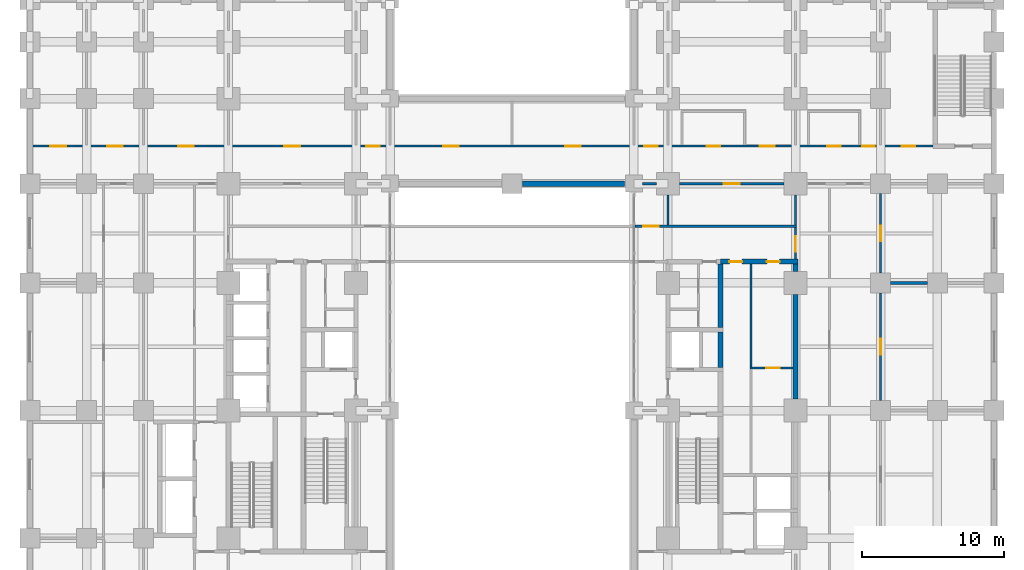
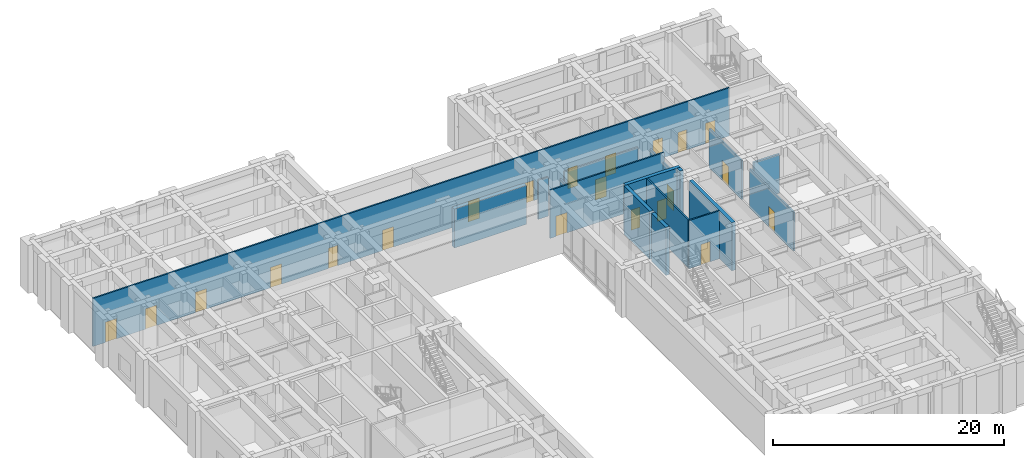
# One storey, part 13 of 21: 21 doors, 18 walls, 21 openings.
"""IFC4 building model written with IfcOpenShell, lengths in metres."""

from ifc_helpers import new_model, si_unit, direction, frame, frame_2d, origin, place, context, subcontext, project, spatial, rectangle, extrude, material, layer, layer_set, type_object, element, fill, save


model = new_model("IFC4")

# Units and contexts
model_context = context("Model", 3, precision=1e-05, world=origin(), true_north=direction((0.0, 1.0)))
body_context = subcontext(model_context, "Body", "Model", "MODEL_VIEW")
ifc_project = project(units=[si_unit("LENGTHUNIT", "METRE"), si_unit("AREAUNIT", "SQUARE_METRE"), si_unit("VOLUMEUNIT", "CUBIC_METRE"), si_unit("PLANEANGLEUNIT", "RADIAN"), si_unit("MASSUNIT", "GRAM", prefix="KILO")], contexts=[model_context])

# Site, building, storey
site_placement = place(None, origin())
site = spatial("IfcSite", under=ifc_project, at=site_placement, CompositionType="ELEMENT")
building_placement = place(site_placement, origin())
building = spatial("IfcBuilding", under=site, at=building_placement, Name="Zulmaris Gate Convention Tower", CompositionType="ELEMENT")
storey_placement = place(building_placement, frame((0.0, 0.0, 5.43994140625)))
storey = spatial("IfcBuildingStorey", under=building, at=storey_placement, Name="L01", CompositionType="ELEMENT", Elevation=5.43994140625)

# Wall, openings, doors
ifc_material_1 = material(Name="Concrete C55/67", Category="concrete")
ifc_layer_1 = layer(ifc_material_1, 0.35009765625, Name="Concrete C55/67")
ifc_layer_set_1 = layer_set([ifc_layer_1], Name="Concrete C55/67")
wall_type_1 = type_object("IfcWallType", Name="CORE-350", PredefinedType="SHEAR", material=ifc_layer_set_1)
wall_1_placement = place(storey_placement, frame((14.699951171875, 10.5, 0.0), z_axis=(0.0, 0.0, 1.0), x_axis=(1.0, 0.0, 0.0)))
wall_1 = element("IfcWall", 1, at=wall_1_placement, inside=storey, type_object=wall_type_1, Name="WL-L01-026", PredefinedType="SHEAR", context=body_context, shape_type="SweptSolid", body=[
    extrude(rectangle(XDim=5.47509765625, YDim=0.35009765625, at=frame_2d((2.737548828125, 0.0))), origin(), (0.0, 0.0, 1.0), 5.08984375),
])
opening_1_placement = place(wall_1_placement, frame((0.6298828125, 0.0, 0.0)))
opening_1 = element("IfcOpeningElement", 2, at=opening_1_placement, cuts=wall_1, Name="Opening D-12", PredefinedType="OPENING", context=body_context, shape_type="SweptSolid", body=[
    extrude(rectangle(XDim=0.89990234375, YDim=2.14990234375, at=frame_2d((0.449951171875, 1.074951171875))), frame((0.0, 0.18505859375, 0.0), z_axis=(0.0, -1.0, 0.0), x_axis=(1.0, 0.0, 0.0)), (0.0, 0.0, 1.0), 0.3701171875),
])
opening_2_placement = place(wall_1_placement, frame((3.27001953125, 0.0, 0.0)))
opening_2 = element("IfcOpeningElement", 3, at=opening_2_placement, cuts=wall_1, Name="Opening D-12", PredefinedType="OPENING", context=body_context, shape_type="SweptSolid", body=[
    extrude(rectangle(XDim=0.89990234375, YDim=2.14990234375, at=frame_2d((0.449951171875, 1.074951171875))), frame((0.0, 0.18505859375, 0.0), z_axis=(0.0, -1.0, 0.0), x_axis=(1.0, 0.0, 0.0)), (0.0, 0.0, 1.0), 0.3701171875),
])
ifc_material_2 = material(Name="Fire-Rated Timber", Category="wood")
door_type_1 = type_object("IfcDoorType", Name="DR-900-FD", OperationType="NOTDEFINED", PredefinedType="DOOR", material=ifc_material_2)
door_1_placement = place(opening_1_placement, origin())
door_1 = element("IfcDoor", 4, at=door_1_placement, inside=storey, type_object=door_type_1, Name="L01 East Comms Door 21", OperationType="SINGLE_SWING_LEFT", OverallHeight=2.14990234375, OverallWidth=0.89990234375, PredefinedType="DOOR", context=body_context, shape_type="SweptSolid", body=[
    extrude(rectangle(XDim=0.89990234375, YDim=2.14990234375, at=frame_2d((0.449951171875, 1.074951171875))), frame((0.0, 0.02490234375, 0.0), z_axis=(0.0, -1.0, 0.0), x_axis=(1.0, 0.0, 0.0)), (0.0, 0.0, 1.0), 0.050048828125),
])
fill(opening_1, door_1)
door_2_placement = place(opening_2_placement, origin())
door_2 = element("IfcDoor", 5, at=door_2_placement, inside=storey, type_object=door_type_1, Name="L01 East Archive Vault Door 22", OperationType="SINGLE_SWING_RIGHT", OverallHeight=2.14990234375, OverallWidth=0.89990234375, PredefinedType="DOOR", context=body_context, shape_type="SweptSolid", body=[
    extrude(rectangle(XDim=0.89990234375, YDim=2.14990234375, at=frame_2d((0.449951171875, 1.074951171875))), frame((0.0, 0.02490234375, 0.0), z_axis=(0.0, -1.0, 0.0), x_axis=(1.0, 0.0, 0.0)), (0.0, 0.0, 1.0), 0.050048828125),
])
fill(opening_2, door_2)

# Walls
wall_2_placement = place(storey_placement, frame((14.699951171875, 3.052001953125, 0.0), z_axis=(0.0, 0.0, 1.0), x_axis=(0.0, 1.0, 0.0)))
element("IfcWall", 6, at=wall_2_placement, inside=storey, type_object=wall_type_1, Name="WL-L01-101", PredefinedType="SHEAR", context=body_context, shape_type="SweptSolid", body=[
    extrude(rectangle(XDim=2.49609375, YDim=0.35009765625, at=frame_2d((1.248046875, 0.0))), origin(), (0.0, 0.0, 1.0), 5.08984375),
])
wall_3_placement = place(storey_placement, frame((14.699951171875, 5.85205078125, 0.0), z_axis=(0.0, 0.0, 1.0), x_axis=(0.0, 1.0, 0.0)))
element("IfcWall", 7, at=wall_3_placement, inside=storey, type_object=wall_type_1, Name="WL-L01-102", PredefinedType="SHEAR", context=body_context, shape_type="SweptSolid", body=[
    extrude(rectangle(XDim=4.470947265625, YDim=0.35009765625, at=frame_2d((2.2353515625, 0.0))), origin(), (0.0, 0.0, 1.0), 5.08984375),
])
wall_4_placement = place(storey_placement, frame((20.0, 0.803955078125, 0.0), z_axis=(0.0, 0.0, 1.0), x_axis=(0.0, 1.0, 0.0)))
element("IfcWall", 8, at=wall_4_placement, inside=storey, type_object=wall_type_1, Name="WL-L01-107S1", PredefinedType="SHEAR", context=body_context, shape_type="SweptSolid", body=[
    extrude(rectangle(XDim=7.39208984375, YDim=0.35009765625, at=frame_2d((3.696044921875, 0.0))), origin(), (0.0, 0.0, 1.0), 5.08984375),
])
wall_5_placement = place(storey_placement, frame((20.0, 9.803955078125, 0.0), z_axis=(0.0, 0.0, 1.0), x_axis=(0.0, 1.0, 0.0)))
element("IfcWall", 9, at=wall_5_placement, inside=storey, type_object=wall_type_1, Name="WL-L01-107S2", PredefinedType="SHEAR", context=body_context, shape_type="SweptSolid", body=[
    extrude(rectangle(XDim=0.51904296875, YDim=0.35009765625, at=frame_2d((0.259521484375, 0.0))), origin(), (0.0, 0.0, 1.0), 5.08984375),
])

# Wall, opening, door
ifc_material_3 = material(Name="Gypsum Metal Stud Partition")
ifc_layer_2 = layer(ifc_material_3, 0.14990234375, Name="Gypsum Metal Stud Partition")
ifc_layer_set_2 = layer_set([ifc_layer_2], Name="Gypsum Metal Stud Partition")
wall_type_2 = type_object("IfcWallType", Name="PART-150", PredefinedType="PARTITIONING", material=ifc_layer_set_2)
wall_6_placement = place(storey_placement, frame((16.77490234375, 3.0, 0.0), z_axis=(0.0, 0.0, 1.0), x_axis=(1.0, 0.0, 0.0)))
wall_6 = element("IfcWall", 10, at=wall_6_placement, inside=storey, type_object=wall_type_2, Name="WL-L01-046", PredefinedType="PARTITIONING", context=body_context, shape_type="SweptSolid", body=[
    extrude(rectangle(XDim=3.047119140625, YDim=0.14990234375, at=frame_2d((1.5234375, 0.0))), origin(), (0.0, 0.0, 1.0), 5.08984375),
])
opening_3_placement = place(wall_6_placement, frame((1.169921875, 0.0, 0.0)))
opening_3 = element("IfcOpeningElement", 11, at=opening_3_placement, cuts=wall_6, Name="Opening D-11", PredefinedType="OPENING", context=body_context, shape_type="SweptSolid", body=[
    extrude(rectangle(XDim=0.949951171875, YDim=2.14990234375, at=frame_2d((0.47509765625, 1.074951171875))), frame((0.0, 0.0849609375, 0.0), z_axis=(0.0, -1.0, 0.0), x_axis=(1.0, 0.0, 0.0)), (0.0, 0.0, 1.0), 0.169921875),
])
door_type_2 = type_object("IfcDoorType", Name="DR-950-FD", OperationType="NOTDEFINED", PredefinedType="DOOR", material=ifc_material_2)
door_3_placement = place(opening_3_placement, origin())
door_3 = element("IfcDoor", 12, at=door_3_placement, inside=storey, type_object=door_type_2, Name="L01 East Equipment Door 23", OperationType="SINGLE_SWING_LEFT", OverallHeight=2.14990234375, OverallWidth=0.949951171875, PredefinedType="DOOR", context=body_context, shape_type="SweptSolid", body=[
    extrude(rectangle(XDim=0.949951171875, YDim=2.14990234375, at=frame_2d((0.47509765625, 1.074951171875))), frame((0.0, 0.02490234375, 0.0), z_axis=(0.0, -1.0, 0.0), x_axis=(1.0, 0.0, 0.0)), (0.0, 0.0, 1.0), 0.050048828125),
])
fill(opening_3, door_3)

wall_7_placement = place(storey_placement, frame((8.659912109375, 13.0, 0.0), z_axis=(0.0, 0.0, 1.0), x_axis=(1.0, 0.0, 0.0)))
wall_7 = element("IfcWall", 13, at=wall_7_placement, inside=storey, type_object=wall_type_2, Name="WL-L01-056", PredefinedType="PARTITIONING", context=body_context, shape_type="SweptSolid", body=[
    extrude(rectangle(XDim=11.4150390625, YDim=0.14990234375, at=frame_2d((5.70751953125, 0.0))), origin(), (0.0, 0.0, 1.0), 5.08984375),
])
opening_4_placement = place(wall_7_placement, frame((0.590087890625, 0.0, 0.0)))
opening_4 = element("IfcOpeningElement", 14, at=opening_4_placement, cuts=wall_7, Name="Opening D-08", PredefinedType="OPENING", context=body_context, shape_type="SweptSolid", body=[
    extrude(rectangle(XDim=1.10009765625, YDim=2.14990234375, at=frame_2d((0.550048828125, 1.074951171875))), frame((0.0, 0.0849609375, 0.0), z_axis=(0.0, -1.0, 0.0), x_axis=(1.0, 0.0, 0.0)), (0.0, 0.0, 1.0), 0.169921875),
])
ifc_material_4 = material(Name="Fire-Rated Steel", Category="steel")
door_type_3 = type_object("IfcDoorType", Name="DR-1100-FD", OperationType="NOTDEFINED", PredefinedType="DOOR", material=ifc_material_4)
door_4_placement = place(opening_4_placement, origin())
door_4 = element("IfcDoor", 15, at=door_4_placement, inside=storey, type_object=door_type_3, Name="L01 East Spine North Door 41", OperationType="SINGLE_SWING_LEFT", OverallHeight=2.14990234375, OverallWidth=1.10009765625, PredefinedType="DOOR", context=body_context, shape_type="SweptSolid", body=[
    extrude(rectangle(XDim=1.10009765625, YDim=2.14990234375, at=frame_2d((0.550048828125, 1.074951171875))), frame((0.0, 0.02490234375, 0.0), z_axis=(0.0, -1.0, 0.0), x_axis=(1.0, 0.0, 0.0)), (0.0, 0.0, 1.0), 0.050048828125),
])
fill(opening_4, door_4)

# Wall
wall_8_placement = place(storey_placement, frame((9.2060546875, 16.0, 0.0), z_axis=(0.0, 0.0, 1.0), x_axis=(1.0, 0.0, 0.0)))
element("IfcWall", 16, at=wall_8_placement, inside=storey, type_object=wall_type_2, Name="WL-L01-061", PredefinedType="PARTITIONING", context=body_context, shape_type="SweptSolid", body=[
    extrude(rectangle(XDim=0.988037109375, YDim=0.14990234375, at=frame_2d((0.494140625, 0.0))), origin(), (0.0, 0.0, 1.0), 4.132080078125),
])

# Wall, opening, door
wall_9_placement = place(storey_placement, frame((11.805908203125, 16.0, 0.0), z_axis=(0.0, 0.0, 1.0), x_axis=(1.0, 0.0, 0.0)))
wall_9 = element("IfcWall", 17, at=wall_9_placement, inside=storey, type_object=wall_type_2, Name="WL-L01-062", PredefinedType="PARTITIONING", context=body_context, shape_type="SweptSolid", body=[
    extrude(rectangle(XDim=7.38818359375, YDim=0.14990234375, at=frame_2d((3.694091796875, 0.0))), origin(), (0.0, 0.0, 1.0), 4.132080078125),
])
opening_5_placement = place(wall_9_placement, frame((3.14404296875, 0.0, 0.0)))
opening_5 = element("IfcOpeningElement", 18, at=opening_5_placement, cuts=wall_9, Name="Opening D-21", PredefinedType="OPENING", context=body_context, shape_type="SweptSolid", body=[
    extrude(rectangle(XDim=1.10009765625, YDim=2.14990234375, at=frame_2d((0.550048828125, 1.074951171875))), frame((0.0, 0.0849609375, 0.0), z_axis=(0.0, -1.0, 0.0), x_axis=(1.0, 0.0, 0.0)), (0.0, 0.0, 1.0), 0.169921875),
])
ifc_material_5 = material(Name="Acoustic Hardwood Timber", Category="wood")
door_type_4 = type_object("IfcDoorType", Name="DR-1100", OperationType="NOTDEFINED", PredefinedType="DOOR", material=ifc_material_5)
door_5_placement = place(opening_5_placement, origin())
door_5 = element("IfcDoor", 19, at=door_5_placement, inside=storey, type_object=door_type_4, Name="L01 NE Breakout Salon Door 33", OperationType="SINGLE_SWING_LEFT", OverallHeight=2.14990234375, OverallWidth=1.10009765625, PredefinedType="DOOR", context=body_context, shape_type="SweptSolid", body=[
    extrude(rectangle(XDim=1.10009765625, YDim=2.14990234375, at=frame_2d((0.550048828125, 1.074951171875))), frame((0.0, 0.02490234375, 0.0), z_axis=(0.0, -1.0, 0.0), x_axis=(1.0, 0.0, 0.0)), (0.0, 0.0, 1.0), 0.050048828125),
])
fill(opening_5, door_5)

# Wall, openings, doors
wall_10_placement = place(storey_placement, frame((-33.8349609375, 18.64990234375, 0.0), z_axis=(0.0, 0.0, 1.0), x_axis=(1.0, 0.0, 0.0)))
wall_10 = element("IfcWall", 20, at=wall_10_placement, inside=storey, type_object=wall_type_2, Name="WL-L01-065", PredefinedType="PARTITIONING", context=body_context, shape_type="SweptSolid", body=[
    extrude(rectangle(XDim=63.68505859375, YDim=0.14990234375, at=frame_2d((31.842529296875, 0.0))), origin(), (0.0, 0.0, 1.0), 5.08984375),
])
opening_6_placement = place(wall_10_placement, frame((1.284912109375, 0.0, 0.0)))
opening_6 = element("IfcOpeningElement", 21, at=opening_6_placement, cuts=wall_10, Name="Opening D-08", PredefinedType="OPENING", context=body_context, shape_type="SweptSolid", body=[
    extrude(rectangle(XDim=1.10009765625, YDim=2.14990234375, at=frame_2d((0.550048828125, 1.074951171875))), frame((0.0, 0.0849609375, 0.0), z_axis=(0.0, -1.0, 0.0), x_axis=(1.0, 0.0, 0.0)), (0.0, 0.0, 1.0), 0.169921875),
])
opening_7_placement = place(wall_10_placement, frame((5.284912109375, 0.0, 0.0)))
opening_7 = element("IfcOpeningElement", 22, at=opening_7_placement, cuts=wall_10, Name="Opening D-08", PredefinedType="OPENING", context=body_context, shape_type="SweptSolid", body=[
    extrude(rectangle(XDim=1.10009765625, YDim=2.14990234375, at=frame_2d((0.550048828125, 1.074951171875))), frame((0.0, 0.0849609375, 0.0), z_axis=(0.0, -1.0, 0.0), x_axis=(1.0, 0.0, 0.0)), (0.0, 0.0, 1.0), 0.169921875),
])
opening_8_placement = place(wall_10_placement, frame((10.284912109375, 0.0, 0.0)))
opening_8 = element("IfcOpeningElement", 23, at=opening_8_placement, cuts=wall_10, Name="Opening D-08", PredefinedType="OPENING", context=body_context, shape_type="SweptSolid", body=[
    extrude(rectangle(XDim=1.10009765625, YDim=2.14990234375, at=frame_2d((0.550048828125, 1.074951171875))), frame((0.0, 0.0849609375, 0.0), z_axis=(0.0, -1.0, 0.0), x_axis=(1.0, 0.0, 0.0)), (0.0, 0.0, 1.0), 0.169921875),
])
opening_9_placement = place(wall_10_placement, frame((17.784912109375, 0.0, 0.0)))
opening_9 = element("IfcOpeningElement", 24, at=opening_9_placement, cuts=wall_10, Name="Opening D-08", PredefinedType="OPENING", context=body_context, shape_type="SweptSolid", body=[
    extrude(rectangle(XDim=1.10009765625, YDim=2.14990234375, at=frame_2d((0.550048828125, 1.074951171875))), frame((0.0, 0.0849609375, 0.0), z_axis=(0.0, -1.0, 0.0), x_axis=(1.0, 0.0, 0.0)), (0.0, 0.0, 1.0), 0.169921875),
])
opening_10_placement = place(wall_10_placement, frame((23.56005859375, 0.0, 0.0)))
opening_10 = element("IfcOpeningElement", 25, at=opening_10_placement, cuts=wall_10, Name="Opening D-11", PredefinedType="OPENING", context=body_context, shape_type="SweptSolid", body=[
    extrude(rectangle(XDim=0.949951171875, YDim=2.14990234375, at=frame_2d((0.47509765625, 1.074951171875))), frame((0.0, 0.0849609375, 0.0), z_axis=(0.0, -1.0, 0.0), x_axis=(1.0, 0.0, 0.0)), (0.0, 0.0, 1.0), 0.169921875),
])
opening_11_placement = place(wall_10_placement, frame((28.985107421875, 0.0, 0.0)))
opening_11 = element("IfcOpeningElement", 26, at=opening_11_placement, cuts=wall_10, Name="Opening D-08", PredefinedType="OPENING", context=body_context, shape_type="SweptSolid", body=[
    extrude(rectangle(XDim=1.10009765625, YDim=2.14990234375, at=frame_2d((0.550048828125, 1.074951171875))), frame((0.0, 0.0849609375, 0.0), z_axis=(0.0, -1.0, 0.0), x_axis=(1.0, 0.0, 0.0)), (0.0, 0.0, 1.0), 0.169921875),
])
opening_12_placement = place(wall_10_placement, frame((37.5849609375, 0.0, 0.0)))
opening_12 = element("IfcOpeningElement", 27, at=opening_12_placement, cuts=wall_10, Name="Opening D-08", PredefinedType="OPENING", context=body_context, shape_type="SweptSolid", body=[
    extrude(rectangle(XDim=1.10009765625, YDim=2.14990234375, at=frame_2d((0.550048828125, 1.074951171875))), frame((0.0, 0.0849609375, 0.0), z_axis=(0.0, -1.0, 0.0), x_axis=(1.0, 0.0, 0.0)), (0.0, 0.0, 1.0), 0.169921875),
])
opening_13_placement = place(wall_10_placement, frame((43.159912109375, 0.0, 0.0)))
opening_13 = element("IfcOpeningElement", 28, at=opening_13_placement, cuts=wall_10, Name="Opening D-11", PredefinedType="OPENING", context=body_context, shape_type="SweptSolid", body=[
    extrude(rectangle(XDim=0.949951171875, YDim=2.14990234375, at=frame_2d((0.47509765625, 1.074951171875))), frame((0.0, 0.0849609375, 0.0), z_axis=(0.0, -1.0, 0.0), x_axis=(1.0, 0.0, 0.0)), (0.0, 0.0, 1.0), 0.169921875),
])
opening_14_placement = place(wall_10_placement, frame((61.31005859375, 0.0, 0.0)))
opening_14 = element("IfcOpeningElement", 29, at=opening_14_placement, cuts=wall_10, Name="Opening D-11", PredefinedType="OPENING", context=body_context, shape_type="SweptSolid", body=[
    extrude(rectangle(XDim=0.949951171875, YDim=2.14990234375, at=frame_2d((0.47509765625, 1.074951171875))), frame((0.0, 0.0849609375, 0.0), z_axis=(0.0, -1.0, 0.0), x_axis=(1.0, 0.0, 0.0)), (0.0, 0.0, 1.0), 0.169921875),
])
opening_15_placement = place(wall_10_placement, frame((47.56005859375, 0.0, 0.0)))
opening_15 = element("IfcOpeningElement", 30, at=opening_15_placement, cuts=wall_10, Name="Opening D-11", PredefinedType="OPENING", context=body_context, shape_type="SweptSolid", body=[
    extrude(rectangle(XDim=0.949951171875, YDim=2.14990234375, at=frame_2d((0.47509765625, 1.074951171875))), frame((0.0, 0.0849609375, 0.0), z_axis=(0.0, -1.0, 0.0), x_axis=(1.0, 0.0, 0.0)), (0.0, 0.0, 1.0), 0.169921875),
])
opening_16_placement = place(wall_10_placement, frame((51.31005859375, 0.0, 0.0)))
opening_16 = element("IfcOpeningElement", 31, at=opening_16_placement, cuts=wall_10, Name="Opening D-09", PredefinedType="OPENING", context=body_context, shape_type="SweptSolid", body=[
    extrude(rectangle(XDim=1.050048828125, YDim=2.14990234375, at=frame_2d((0.52490234375, 1.074951171875))), frame((0.0, 0.0849609375, 0.0), z_axis=(0.0, -1.0, 0.0), x_axis=(1.0, 0.0, 0.0)), (0.0, 0.0, 1.0), 0.169921875),
])
opening_17_placement = place(wall_10_placement, frame((56.06005859375, 0.0, 0.0)))
opening_17 = element("IfcOpeningElement", 32, at=opening_17_placement, cuts=wall_10, Name="Opening D-11", PredefinedType="OPENING", context=body_context, shape_type="SweptSolid", body=[
    extrude(rectangle(XDim=0.949951171875, YDim=2.14990234375, at=frame_2d((0.47509765625, 1.074951171875))), frame((0.0, 0.0849609375, 0.0), z_axis=(0.0, -1.0, 0.0), x_axis=(1.0, 0.0, 0.0)), (0.0, 0.0, 1.0), 0.169921875),
])
opening_18_placement = place(wall_10_placement, frame((58.534912109375, 0.0, 0.0)))
opening_18 = element("IfcOpeningElement", 33, at=opening_18_placement, cuts=wall_10, Name="Opening D-12", PredefinedType="OPENING", context=body_context, shape_type="SweptSolid", body=[
    extrude(rectangle(XDim=0.89990234375, YDim=2.14990234375, at=frame_2d((0.449951171875, 1.074951171875))), frame((0.0, 0.0849609375, 0.0), z_axis=(0.0, -1.0, 0.0), x_axis=(1.0, 0.0, 0.0)), (0.0, 0.0, 1.0), 0.169921875),
])
door_type_5 = type_object("IfcDoorType", Name="DR-1050-FD", OperationType="NOTDEFINED", PredefinedType="DOOR", material=ifc_material_4)
door_6_placement = place(opening_16_placement, origin())
door_6 = element("IfcDoor", 34, at=door_6_placement, inside=storey, type_object=door_type_5, Name="L01 NE Delegate Salon Door 62", OperationType="SINGLE_SWING_RIGHT", OverallHeight=2.14990234375, OverallWidth=1.050048828125, PredefinedType="DOOR", context=body_context, shape_type="SweptSolid", body=[
    extrude(rectangle(XDim=1.050048828125, YDim=2.14990234375, at=frame_2d((0.52490234375, 1.074951171875))), frame((0.0, 0.02490234375, 0.0), z_axis=(0.0, -1.0, 0.0), x_axis=(1.0, 0.0, 0.0)), (0.0, 0.0, 1.0), 0.050048828125),
])
fill(opening_16, door_6)
door_7_placement = place(opening_6_placement, origin())
door_7 = element("IfcDoor", 35, at=door_7_placement, inside=storey, type_object=door_type_3, Name="L01 Convention Seminar Room N1 Door 52", OperationType="SINGLE_SWING_RIGHT", OverallHeight=2.14990234375, OverallWidth=1.10009765625, PredefinedType="DOOR", context=body_context, shape_type="SweptSolid", body=[
    extrude(rectangle(XDim=1.10009765625, YDim=2.14990234375, at=frame_2d((0.550048828125, 1.074951171875))), frame((0.0, 0.02490234375, 0.0), z_axis=(0.0, -1.0, 0.0), x_axis=(1.0, 0.0, 0.0)), (0.0, 0.0, 1.0), 0.050048828125),
])
fill(opening_6, door_7)
door_8_placement = place(opening_7_placement, origin())
door_8 = element("IfcDoor", 36, at=door_8_placement, inside=storey, type_object=door_type_3, Name="L01 Delegate Briefing Room N2 Door 53", OperationType="SINGLE_SWING_LEFT", OverallHeight=2.14990234375, OverallWidth=1.10009765625, PredefinedType="DOOR", context=body_context, shape_type="SweptSolid", body=[
    extrude(rectangle(XDim=1.10009765625, YDim=2.14990234375, at=frame_2d((0.550048828125, 1.074951171875))), frame((0.0, 0.02490234375, 0.0), z_axis=(0.0, -1.0, 0.0), x_axis=(1.0, 0.0, 0.0)), (0.0, 0.0, 1.0), 0.050048828125),
])
fill(opening_7, door_8)
door_9_placement = place(opening_8_placement, origin())
door_9 = element("IfcDoor", 37, at=door_9_placement, inside=storey, type_object=door_type_3, Name="L01 VIP Delegate Lounge N3 Door 54", OperationType="SINGLE_SWING_RIGHT", OverallHeight=2.14990234375, OverallWidth=1.10009765625, PredefinedType="DOOR", context=body_context, shape_type="SweptSolid", body=[
    extrude(rectangle(XDim=1.10009765625, YDim=2.14990234375, at=frame_2d((0.550048828125, 1.074951171875))), frame((0.0, 0.02490234375, 0.0), z_axis=(0.0, -1.0, 0.0), x_axis=(1.0, 0.0, 0.0)), (0.0, 0.0, 1.0), 0.050048828125),
])
fill(opening_8, door_9)
door_10_placement = place(opening_9_placement, origin())
door_10 = element("IfcDoor", 38, at=door_10_placement, inside=storey, type_object=door_type_3, Name="L01 Board Secretariat Office N4 Door 55", OperationType="SINGLE_SWING_LEFT", OverallHeight=2.14990234375, OverallWidth=1.10009765625, PredefinedType="DOOR", context=body_context, shape_type="SweptSolid", body=[
    extrude(rectangle(XDim=1.10009765625, YDim=2.14990234375, at=frame_2d((0.550048828125, 1.074951171875))), frame((0.0, 0.02490234375, 0.0), z_axis=(0.0, -1.0, 0.0), x_axis=(1.0, 0.0, 0.0)), (0.0, 0.0, 1.0), 0.050048828125),
])
fill(opening_9, door_10)
door_11_placement = place(opening_11_placement, origin())
door_11 = element("IfcDoor", 39, at=door_11_placement, inside=storey, type_object=door_type_3, Name="L01 North Arch Gallery West Door 57", OperationType="SINGLE_SWING_LEFT", OverallHeight=2.14990234375, OverallWidth=1.10009765625, PredefinedType="DOOR", context=body_context, shape_type="SweptSolid", body=[
    extrude(rectangle(XDim=1.10009765625, YDim=2.14990234375, at=frame_2d((0.550048828125, 1.074951171875))), frame((0.0, 0.02490234375, 0.0), z_axis=(0.0, -1.0, 0.0), x_axis=(1.0, 0.0, 0.0)), (0.0, 0.0, 1.0), 0.050048828125),
])
fill(opening_11, door_11)
door_12_placement = place(opening_12_placement, origin())
door_12 = element("IfcDoor", 40, at=door_12_placement, inside=storey, type_object=door_type_3, Name="L01 North Arch Gallery East Door 58", OperationType="SINGLE_SWING_RIGHT", OverallHeight=2.14990234375, OverallWidth=1.10009765625, PredefinedType="DOOR", context=body_context, shape_type="SweptSolid", body=[
    extrude(rectangle(XDim=1.10009765625, YDim=2.14990234375, at=frame_2d((0.550048828125, 1.074951171875))), frame((0.0, 0.02490234375, 0.0), z_axis=(0.0, -1.0, 0.0), x_axis=(1.0, 0.0, 0.0)), (0.0, 0.0, 1.0), 0.050048828125),
])
fill(opening_12, door_12)
door_13_placement = place(opening_18_placement, origin())
door_13 = element("IfcDoor", 41, at=door_13_placement, inside=storey, type_object=door_type_1, Name="L01 Prep Kitchen Door 64", OperationType="SINGLE_SWING_RIGHT", OverallHeight=2.14990234375, OverallWidth=0.89990234375, PredefinedType="DOOR", context=body_context, shape_type="SweptSolid", body=[
    extrude(rectangle(XDim=0.89990234375, YDim=2.14990234375, at=frame_2d((0.449951171875, 1.074951171875))), frame((0.0, 0.02490234375, 0.0), z_axis=(0.0, -1.0, 0.0), x_axis=(1.0, 0.0, 0.0)), (0.0, 0.0, 1.0), 0.050048828125),
])
fill(opening_18, door_13)
door_14_placement = place(opening_10_placement, origin())
door_14 = element("IfcDoor", 42, at=door_14_placement, inside=storey, type_object=door_type_2, Name="L01 NW Translation Office Door 56", OperationType="SINGLE_SWING_RIGHT", OverallHeight=2.14990234375, OverallWidth=0.949951171875, PredefinedType="DOOR", context=body_context, shape_type="SweptSolid", body=[
    extrude(rectangle(XDim=0.949951171875, YDim=2.14990234375, at=frame_2d((0.47509765625, 1.074951171875))), frame((0.0, 0.02490234375, 0.0), z_axis=(0.0, -1.0, 0.0), x_axis=(1.0, 0.0, 0.0)), (0.0, 0.0, 1.0), 0.050048828125),
])
fill(opening_10, door_14)
door_15_placement = place(opening_13_placement, origin())
door_15 = element("IfcDoor", 43, at=door_15_placement, inside=storey, type_object=door_type_2, Name="L01 NE Translation Office Door 59", OperationType="SINGLE_SWING_LEFT", OverallHeight=2.14990234375, OverallWidth=0.949951171875, PredefinedType="DOOR", context=body_context, shape_type="SweptSolid", body=[
    extrude(rectangle(XDim=0.949951171875, YDim=2.14990234375, at=frame_2d((0.47509765625, 1.074951171875))), frame((0.0, 0.02490234375, 0.0), z_axis=(0.0, -1.0, 0.0), x_axis=(1.0, 0.0, 0.0)), (0.0, 0.0, 1.0), 0.050048828125),
])
fill(opening_13, door_15)
door_16_placement = place(opening_14_placement, origin())
door_16 = element("IfcDoor", 44, at=door_16_placement, inside=storey, type_object=door_type_2, Name="L01 Secretariat Office Door 60", OperationType="SINGLE_SWING_RIGHT", OverallHeight=2.14990234375, OverallWidth=0.949951171875, PredefinedType="DOOR", context=body_context, shape_type="SweptSolid", body=[
    extrude(rectangle(XDim=0.949951171875, YDim=2.14990234375, at=frame_2d((0.47509765625, 1.074951171875))), frame((0.0, 0.02490234375, 0.0), z_axis=(0.0, -1.0, 0.0), x_axis=(1.0, 0.0, 0.0)), (0.0, 0.0, 1.0), 0.050048828125),
])
fill(opening_14, door_16)
door_17_placement = place(opening_15_placement, origin())
door_17 = element("IfcDoor", 45, at=door_17_placement, inside=storey, type_object=door_type_2, Name="L01 Public Washrooms WC Door 61", OperationType="SINGLE_SWING_LEFT", OverallHeight=2.14990234375, OverallWidth=0.949951171875, PredefinedType="DOOR", context=body_context, shape_type="SweptSolid", body=[
    extrude(rectangle(XDim=0.949951171875, YDim=2.14990234375, at=frame_2d((0.47509765625, 1.074951171875))), frame((0.0, 0.02490234375, 0.0), z_axis=(0.0, -1.0, 0.0), x_axis=(1.0, 0.0, 0.0)), (0.0, 0.0, 1.0), 0.050048828125),
])
fill(opening_15, door_17)
door_18_placement = place(opening_17_placement, origin())
door_18 = element("IfcDoor", 46, at=door_18_placement, inside=storey, type_object=door_type_2, Name="L01 Accessible WC Door 63", OperationType="SINGLE_SWING_LEFT", OverallHeight=2.14990234375, OverallWidth=0.949951171875, PredefinedType="DOOR", context=body_context, shape_type="SweptSolid", body=[
    extrude(rectangle(XDim=0.949951171875, YDim=2.14990234375, at=frame_2d((0.47509765625, 1.074951171875))), frame((0.0, 0.02490234375, 0.0), z_axis=(0.0, -1.0, 0.0), x_axis=(1.0, 0.0, 0.0)), (0.0, 0.0, 1.0), 0.050048828125),
])
fill(opening_17, door_18)

# Walls
wall_11_placement = place(storey_placement, frame((11.0, 13.077880859375, 0.0), z_axis=(0.0, 0.0, 1.0), x_axis=(0.0, 1.0, 0.0)))
element("IfcWall", 47, at=wall_11_placement, inside=storey, type_object=wall_type_2, Name="WL-L01-138", PredefinedType="PARTITIONING", context=body_context, shape_type="SweptSolid", body=[
    extrude(rectangle(XDim=2.1162109375, YDim=0.14990234375, at=frame_2d((1.05810546875, 0.0))), origin(), (0.0, 0.0, 1.0), 4.132080078125),
])
wall_12_placement = place(storey_placement, frame((16.85009765625, 3.077880859375, 0.0), z_axis=(0.0, 0.0, 1.0), x_axis=(0.0, 1.0, 0.0)))
element("IfcWall", 48, at=wall_12_placement, inside=storey, type_object=wall_type_2, Name="WL-L01-145", PredefinedType="PARTITIONING", context=body_context, shape_type="SweptSolid", body=[
    extrude(rectangle(XDim=7.244140625, YDim=0.14990234375, at=frame_2d((3.6220703125, 0.0))), origin(), (0.0, 0.0, 1.0), 5.08984375),
])

# Wall, opening, door
wall_13_placement = place(storey_placement, frame((20.0, 10.677978515625, 0.0), z_axis=(0.0, 0.0, 1.0), x_axis=(0.0, 1.0, 0.0)))
wall_13 = element("IfcWall", 49, at=wall_13_placement, inside=storey, type_object=wall_type_2, Name="WL-L01-148", PredefinedType="PARTITIONING", context=body_context, shape_type="SweptSolid", body=[
    extrude(rectangle(XDim=2.244140625, YDim=0.14990234375, at=frame_2d((1.1220703125, 0.0))), origin(), (0.0, 0.0, 1.0), 4.132080078125),
])
opening_19_placement = place(wall_13_placement, frame((0.52197265625, 0.0, 0.0)))
opening_19 = element("IfcOpeningElement", 50, at=opening_19_placement, cuts=wall_13, Name="Opening D-08", PredefinedType="OPENING", context=body_context, shape_type="SweptSolid", body=[
    extrude(rectangle(XDim=1.10009765625, YDim=2.14990234375, at=frame_2d((0.550048828125, 1.074951171875))), frame((0.0, 0.0849609375, 0.0), z_axis=(0.0, -1.0, 0.0), x_axis=(1.0, 0.0, 0.0)), (0.0, 0.0, 1.0), 0.169921875),
])
door_19_placement = place(opening_19_placement, origin())
door_19 = element("IfcDoor", 51, at=door_19_placement, inside=storey, type_object=door_type_3, Name="L01 East Passage North Door 47", OperationType="SINGLE_SWING_LEFT", OverallHeight=2.14990234375, OverallWidth=1.10009765625, PredefinedType="DOOR", context=body_context, shape_type="SweptSolid", body=[
    extrude(rectangle(XDim=1.10009765625, YDim=2.14990234375, at=frame_2d((0.550048828125, 1.074951171875))), frame((0.0, 0.02490234375, 0.0), z_axis=(0.0, -1.0, 0.0), x_axis=(1.0, 0.0, 0.0)), (0.0, 0.0, 1.0), 0.050048828125),
])
fill(opening_19, door_19)

# Wall
wall_14_placement = place(storey_placement, frame((20.0, 13.077880859375, 0.0), z_axis=(0.0, 0.0, 1.0), x_axis=(0.0, 1.0, 0.0)))
element("IfcWall", 52, at=wall_14_placement, inside=storey, type_object=wall_type_2, Name="WL-L01-149", PredefinedType="PARTITIONING", context=body_context, shape_type="SweptSolid", body=[
    extrude(rectangle(XDim=2.1162109375, YDim=0.14990234375, at=frame_2d((1.05810546875, 0.0))), origin(), (0.0, 0.0, 1.0), 4.132080078125),
])

# Wall, opening, door
wall_15_placement = place(storey_placement, frame((26.0, 0.7060546875, 0.0), z_axis=(0.0, 0.0, 1.0), x_axis=(0.0, 1.0, 0.0)))
wall_15 = element("IfcWall", 53, at=wall_15_placement, inside=storey, type_object=wall_type_2, Name="WL-L01-157", PredefinedType="PARTITIONING", context=body_context, shape_type="SweptSolid", body=[
    extrude(rectangle(XDim=7.587890625, YDim=0.14990234375, at=frame_2d((3.7939453125, 0.0))), origin(), (0.0, 0.0, 1.0), 4.132080078125),
])
opening_20_placement = place(wall_15_placement, frame((3.243896484375, 0.0, 0.0)))
opening_20 = element("IfcOpeningElement", 54, at=opening_20_placement, cuts=wall_15, Name="Opening D-08", PredefinedType="OPENING", context=body_context, shape_type="SweptSolid", body=[
    extrude(rectangle(XDim=1.10009765625, YDim=2.14990234375, at=frame_2d((0.550048828125, 1.074951171875))), frame((0.0, 0.0849609375, 0.0), z_axis=(0.0, -1.0, 0.0), x_axis=(1.0, 0.0, 0.0)), (0.0, 0.0, 1.0), 0.169921875),
])
door_20_placement = place(opening_20_placement, origin())
door_20 = element("IfcDoor", 55, at=door_20_placement, inside=storey, type_object=door_type_3, Name="L01 East Room E3 Door 77", OperationType="SINGLE_SWING_LEFT", OverallHeight=2.14990234375, OverallWidth=1.10009765625, PredefinedType="DOOR", context=body_context, shape_type="SweptSolid", body=[
    extrude(rectangle(XDim=1.10009765625, YDim=2.14990234375, at=frame_2d((0.550048828125, 1.074951171875))), frame((0.0, 0.02490234375, 0.0), z_axis=(0.0, -1.0, 0.0), x_axis=(1.0, 0.0, 0.0)), (0.0, 0.0, 1.0), 0.050048828125),
])
fill(opening_20, door_20)

wall_16_placement = place(storey_placement, frame((26.0, 9.7060546875, 0.0), z_axis=(0.0, 0.0, 1.0), x_axis=(0.0, 1.0, 0.0)))
wall_16 = element("IfcWall", 56, at=wall_16_placement, inside=storey, type_object=wall_type_2, Name="WL-L01-158", PredefinedType="PARTITIONING", context=body_context, shape_type="SweptSolid", body=[
    extrude(rectangle(XDim=5.587890625, YDim=0.14990234375, at=frame_2d((2.7939453125, 0.0))), origin(), (0.0, 0.0, 1.0), 4.132080078125),
])
opening_21_placement = place(wall_16_placement, frame((2.243896484375, 0.0, 0.0)))
opening_21 = element("IfcOpeningElement", 57, at=opening_21_placement, cuts=wall_16, Name="Opening D-08", PredefinedType="OPENING", context=body_context, shape_type="SweptSolid", body=[
    extrude(rectangle(XDim=1.10009765625, YDim=2.14990234375, at=frame_2d((0.550048828125, 1.074951171875))), frame((0.0, 0.0849609375, 0.0), z_axis=(0.0, -1.0, 0.0), x_axis=(1.0, 0.0, 0.0)), (0.0, 0.0, 1.0), 0.169921875),
])
door_21_placement = place(opening_21_placement, origin())
door_21 = element("IfcDoor", 58, at=door_21_placement, inside=storey, type_object=door_type_3, Name="L01 East Room E4 Door 78", OperationType="SINGLE_SWING_RIGHT", OverallHeight=2.14990234375, OverallWidth=1.10009765625, PredefinedType="DOOR", context=body_context, shape_type="SweptSolid", body=[
    extrude(rectangle(XDim=1.10009765625, YDim=2.14990234375, at=frame_2d((0.550048828125, 1.074951171875))), frame((0.0, 0.02490234375, 0.0), z_axis=(0.0, -1.0, 0.0), x_axis=(1.0, 0.0, 0.0)), (0.0, 0.0, 1.0), 0.050048828125),
])
fill(opening_21, door_21)

# Walls
ifc_material_6 = material(Name="Autoclaved Aerated Concrete Block and Plasterboard", Category="concrete")
ifc_layer_3 = layer(ifc_material_6, 0.199951171875, Name="Autoclaved Aerated Concrete Block and Plasterboard")
ifc_layer_set_3 = layer_set([ifc_layer_3], Name="Autoclaved Aerated Concrete Block and Plasterboard")
wall_type_3 = type_object("IfcWallType", Name="PART-200", PredefinedType="PARTITIONING", material=ifc_layer_set_3)
wall_17_placement = place(storey_placement, frame((26.7060546875, 9.0, 0.0), z_axis=(0.0, 0.0, 1.0), x_axis=(1.0, 0.0, 0.0)))
element("IfcWall", 59, at=wall_17_placement, inside=storey, type_object=wall_type_3, Name="WL-L01-050", PredefinedType="PARTITIONING", context=body_context, shape_type="SweptSolid", body=[
    extrude(rectangle(XDim=2.587890625, YDim=0.199951171875, at=frame_2d((1.2939453125, 0.0))), origin(), (0.0, 0.0, 1.0), 4.132080078125),
])
ifc_material_7 = material(Name="Precast concrete C50/60", Category="concrete")
ifc_layer_4 = layer(ifc_material_7, 0.39990234375, Name="Precast concrete C50/60")
ifc_layer_set_4 = layer_set([ifc_layer_4], Name="Precast concrete C50/60")
wall_type_4 = type_object("IfcWallType", Name="PRECAST-ARCH-400", PredefinedType="STANDARD", material=ifc_layer_set_4)
wall_18_placement = place(storey_placement, frame((0.72998046875, 16.0, 0.0), z_axis=(0.0, 0.0, 1.0), x_axis=(1.0, 0.0, 0.0)))
element("IfcWall", 60, at=wall_18_placement, inside=storey, type_object=wall_type_4, Name="EW-L01-ARCH-N_1", PredefinedType="STANDARD", context=body_context, shape_type="SweptSolid", body=[
    extrude(rectangle(XDim=7.219970703125, YDim=0.39990234375, at=frame_2d((3.60986328125, 0.0))), origin(), (0.0, 0.0, 1.0), 4.132080078125),
])

save(model, "model.ifc")
